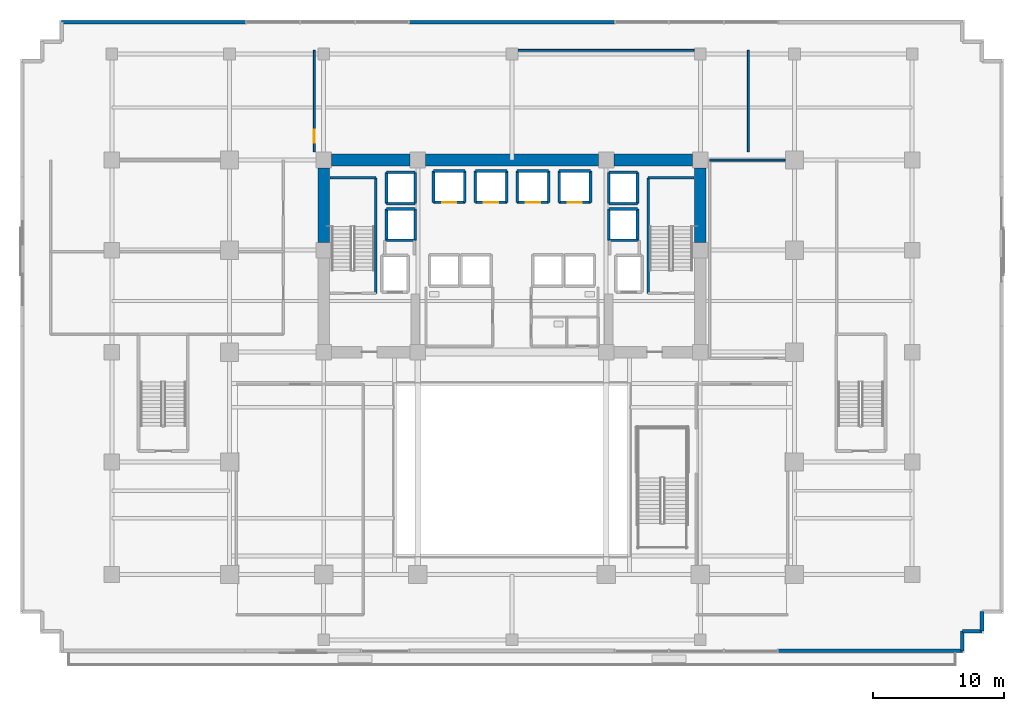
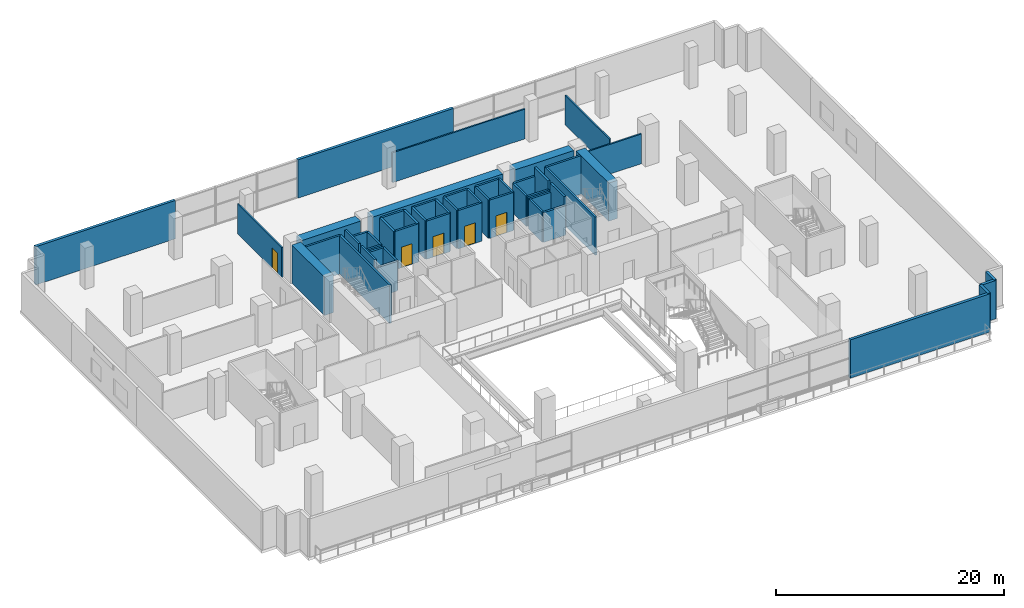
# One storey, part 14 of 22: 51 walls, 5 doors, 5 openings.
"""IFC4 building model written with IfcOpenShell, lengths in metres."""

from ifc_helpers import new_model, si_unit, direction, frame, frame_2d, origin, place, context, subcontext, project, spatial, rectangle, extrude, source, transform, mapped, material, layer, layer_set, type_object, element, fill, save


model = new_model("IFC4")

# Units and contexts
model_context = context("Model", 3, precision=1e-05, world=origin(), true_north=direction((0.0, 1.0)))
body_context = subcontext(model_context, "Body", "Model", "MODEL_VIEW")
ifc_project = project(units=[si_unit("LENGTHUNIT", "METRE"), si_unit("AREAUNIT", "SQUARE_METRE"), si_unit("VOLUMEUNIT", "CUBIC_METRE"), si_unit("PLANEANGLEUNIT", "RADIAN"), si_unit("MASSUNIT", "GRAM", prefix="KILO")], contexts=[model_context])

# Site, building, storey
site_placement = place(None, origin())
site = spatial("IfcSite", under=ifc_project, at=site_placement, CompositionType="ELEMENT")
building_placement = place(site_placement, origin())
building = spatial("IfcBuilding", under=site, at=building_placement, Name="Zarnakvel Exchange Tower", CompositionType="ELEMENT")
storey_placement = place(building_placement, frame((0.0, 0.0, 9.39990234375)))
storey = spatial("IfcBuildingStorey", under=building, at=storey_placement, Name="L02", CompositionType="ELEMENT", Elevation=9.39990234375)

# Walls
ifc_material_1 = material(Name="Concrete C80/95", Category="concrete")
ifc_layer_1 = layer(ifc_material_1, 0.89990234375)
ifc_layer_set_1 = layer_set([ifc_layer_1], Name="Concrete C80/95")
wall_type_1 = type_object("IfcWallType", Name="CW-C1", PredefinedType="SHEAR", material=ifc_layer_set_1)
wall_1_placement = place(storey_placement, frame((-13.800048828125, 13.5, 0.0), z_axis=(0.0, 0.0, 1.0), x_axis=(1.0, 0.0, 0.0)))
element("IfcWall", 1, at=wall_1_placement, inside=storey, type_object=wall_type_1, Name="L02 Rear Core Shear Wall N1 (CW-C1)", PredefinedType="SHEAR", context=body_context, shape_type="SweptSolid", body=[
    extrude(rectangle(XDim=6.0, YDim=0.89990234375, at=frame_2d((3.0, 0.0))), origin(), (0.0, 0.0, 1.0), 4.10009765625),
])
wall_2_placement = place(storey_placement, frame((-6.60009765625, 13.5, 0.0), z_axis=(0.0, 0.0, 1.0), x_axis=(1.0, 0.0, 0.0)))
element("IfcWall", 2, at=wall_2_placement, inside=storey, type_object=wall_type_1, Name="L02 Rear Core Shear Wall N2 (CW-C1)", PredefinedType="SHEAR", context=body_context, shape_type="SweptSolid", body=[
    extrude(rectangle(XDim=13.2001953125, YDim=0.89990234375, at=frame_2d((6.60009765625, 0.0))), origin(), (0.0, 0.0, 1.0), 4.10009765625),
])
wall_3_placement = place(storey_placement, frame((7.800048828125, 13.5, 0.0), z_axis=(0.0, 0.0, 1.0), x_axis=(1.0, 0.0, 0.0)))
element("IfcWall", 3, at=wall_3_placement, inside=storey, type_object=wall_type_1, Name="L02 Rear Core Shear Wall N3 (CW-C1)", PredefinedType="SHEAR", context=body_context, shape_type="SweptSolid", body=[
    extrude(rectangle(XDim=6.0, YDim=0.89990234375, at=frame_2d((3.0, 0.0))), origin(), (0.0, 0.0, 1.0), 4.10009765625),
])
for number, where, z_axis, x_axis, name in (
    (4, (-14.39990234375, 7.199951171875, 0.0), (0.0, 0.0, 1.0), (0.0, 1.0, 0.0), "L02 Rear Core Shear Wall W2 (CW-C1)"),
    (5, (14.39990234375, 7.199951171875, 0.0), (0.0, 0.0, 1.0), (0.0, 1.0, 0.0), "L02 Rear Core Shear Wall E2 (CW-C1)"),
):
    element("IfcWall", number, at=place(storey_placement, frame(where, z_axis=z_axis, x_axis=x_axis)), inside=storey, type_object=wall_type_1, Name=name, PredefinedType="SHEAR", context=body_context, shape_type="SweptSolid", body=[
        extrude(rectangle(XDim=5.699951171875, YDim=0.89990234375, at=frame_2d((2.85009765625, 0.0))), origin(), (0.0, 0.0, 1.0), 4.10009765625),
    ])
ifc_material_2 = material(Name="Precast concrete C40/50", Category="concrete")
ifc_layer_2 = layer(ifc_material_2, 0.280029296875)
ifc_layer_set_2 = layer_set([ifc_layer_2], Name="Precast concrete C40/50")
wall_type_2 = type_object("IfcWallType", Name="EW-01", PredefinedType="SOLIDWALL", material=ifc_layer_set_2)
wall_4_placement = place(storey_placement, frame((-20.304931640625, 24.0400390625, 0.0), z_axis=(0.0, 0.0, 1.0), x_axis=(-1.0, 0.0, 0.0)))
element("IfcWall", 6, at=wall_4_placement, inside=storey, type_object=wall_type_2, Name="L02 Exterior Precast Spandrel Wall EWC-L02-07 (EW-01)", PredefinedType="SOLIDWALL", context=body_context, shape_type="SweptSolid", body=[
    extrude(rectangle(XDim=14.135009765625, YDim=0.280029296875, at=frame_2d((7.0673828125, 0.0))), origin(), (0.0, 0.0, 1.0), 4.10009765625),
])
wall_5_placement = place(storey_placement, frame((7.89501953125, 24.0400390625, 0.0), z_axis=(0.0, 0.0, 1.0), x_axis=(-1.0, 0.0, 0.0)))
element("IfcWall", 7, at=wall_5_placement, inside=storey, type_object=wall_type_2, Name="L02 Exterior Precast Spandrel Wall EWC-L02-08 (EW-01)", PredefinedType="SOLIDWALL", context=body_context, shape_type="SweptSolid", body=[
    extrude(rectangle(XDim=15.7900390625, YDim=0.280029296875, at=frame_2d((7.89501953125, 0.0))), origin(), (0.0, 0.0, 1.0), 4.10009765625),
])
for number, where, z_axis, x_axis, name in (
    (8, (35.93994140625, -22.5400390625, 0.0), (0.0, 0.0, 1.0), (0.0, 1.0, 0.0), "L02 Exterior Precast Spandrel Wall EWC-L02-17 (EW-01)"),
    (9, (34.43994140625, -22.5400390625, 0.0), (0.0, 0.0, 1.0), (1.0, 0.0, 0.0), "L02 Exterior Precast Spandrel Wall EWC-L02-18 (EW-01)"),
    (10, (34.43994140625, -24.0400390625, 0.0), (0.0, 0.0, 1.0), (0.0, 1.0, 0.0), "L02 Exterior Precast Spandrel Wall EWC-L02-19 (EW-01)"),
):
    element("IfcWall", number, at=place(storey_placement, frame(where, z_axis=z_axis, x_axis=x_axis)), inside=storey, type_object=wall_type_2, Name=name, PredefinedType="SOLIDWALL", context=body_context, shape_type="SweptSolid", body=[
        extrude(rectangle(XDim=1.5, YDim=0.280029296875, at=frame_2d((0.75, 0.0))), origin(), (0.0, 0.0, 1.0), 4.10009765625),
    ])
wall_6_placement = place(storey_placement, frame((20.304931640625, -24.0400390625, 0.0), z_axis=(0.0, 0.0, 1.0), x_axis=(1.0, 0.0, 0.0)))
element("IfcWall", 11, at=wall_6_placement, inside=storey, type_object=wall_type_2, Name="L02 Exterior Precast Spandrel Wall EWC-L02-20 (EW-01)", PredefinedType="SOLIDWALL", context=body_context, shape_type="SweptSolid", body=[
    extrude(rectangle(XDim=14.135009765625, YDim=0.280029296875, at=frame_2d((7.0673828125, 0.0))), origin(), (0.0, 0.0, 1.0), 4.10009765625),
])
ifc_material_3 = material(Name="Fire-Rated Gypsum Stud Partition", Category="gypsum")
ifc_layer_3 = layer(ifc_material_3, 0.14990234375)
ifc_layer_set_3 = layer_set([ifc_layer_3], Name="Fire-Rated Gypsum Stud Partition")
wall_type_3 = type_object("IfcWallType", Name="PT-01", PredefinedType="PARTITIONING", material=ifc_layer_set_3)
wall_7_placement = place(storey_placement, frame((15.1201171875, 13.47998046875, 0.0), z_axis=(0.0, 0.0, 1.0), x_axis=(1.0, 0.0, 0.0)))
element("IfcWall", 12, at=wall_7_placement, inside=storey, type_object=wall_type_3, Name="L02 Partition Wall PWALL-L02-050 (PT-01)", PredefinedType="PARTITIONING", context=body_context, shape_type="SweptSolid", body=[
    extrude(rectangle(XDim=5.759765625, YDim=0.14990234375, at=frame_2d((2.8798828125, 0.0))), origin(), (0.0, 0.0, 1.0), 3.190185546875),
])
wall_8_placement = place(storey_placement, frame((0.469970703125, 21.8798828125, 0.0), z_axis=(0.0, 0.0, 1.0), x_axis=(1.0, 0.0, 0.0)))
element("IfcWall", 13, at=wall_8_placement, inside=storey, type_object=wall_type_3, Name="L02 Partition Wall PWALL-L02-053 (PT-01)", PredefinedType="PARTITIONING", context=body_context, shape_type="SweptSolid", body=[
    extrude(rectangle(XDim=13.4599609375, YDim=0.14990234375, at=frame_2d((6.72998046875, 0.0))), origin(), (0.0, 0.0, 1.0), 3.190185546875),
])

# Wall, opening, door
wall_9_placement = place(storey_placement, frame((-15.1201171875, 14.1201171875, 0.0), z_axis=(0.0, 0.0, 1.0), x_axis=(0.0, 1.0, 0.0)))
wall_9 = element("IfcWall", 14, at=wall_9_placement, inside=storey, type_object=wall_type_3, Name="L02 Partition Wall PWALL-L02-054 (PT-01)", PredefinedType="PARTITIONING", context=body_context, shape_type="SweptSolid", body=[
    extrude(rectangle(XDim=7.759765625, YDim=0.14990234375, at=frame_2d((3.8798828125, 0.0))), origin(), (0.0, 0.0, 1.0), 3.190185546875),
])
opening_1_placement = place(wall_9_placement, frame((0.68994140625, 0.0, 0.0)))
opening_1 = element("IfcOpeningElement", 15, at=opening_1_placement, cuts=wall_9, Name="Opening D-L02-16", PredefinedType="OPENING", context=body_context, shape_type="SweptSolid", body=[
    extrude(rectangle(XDim=0.97998046875, YDim=2.14990234375, at=frame_2d((0.489990234375, 1.074951171875))), frame((0.0, 0.0849609375, 0.0), z_axis=(0.0, -1.0, 0.0), x_axis=(1.0, 0.0, 0.0)), (0.0, 0.0, 1.0), 0.169921875),
])
ifc_material_4 = material(Name="Timber Acoustic Veneer", Category="wood")
door_type_1 = type_object("IfcDoorType", Name="DT-05", OperationType="NOTDEFINED", PredefinedType="DOOR", material=ifc_material_4)
shared_shape_1 = source(origin(), body_context, "Body", "SweptSolid", [
    extrude(rectangle(XDim=0.97998046875, YDim=2.14990234375, at=frame_2d((0.489990234375, 1.074951171875))), frame((0.0, 0.02490234375, 0.0), z_axis=(0.0, -1.0, 0.0), x_axis=(1.0, 0.0, 0.0)), (0.0, 0.0, 1.0), 0.050048828125),
])
door_1_placement = place(opening_1_placement, origin())
door_1 = element("IfcDoor", 16, at=door_1_placement, inside=storey, type_object=door_type_1, Name="L02 Members Club Lounge Door D-L02-16", OperationType="SINGLE_SWING_RIGHT", OverallHeight=2.14990234375, OverallWidth=0.97998046875, PredefinedType="DOOR", context=body_context, shape_type="MappedRepresentation", body=[
    mapped(shared_shape_1, transform((0.0, 0.0, 0.0), x_axis=(1.0, 0.0, 0.0), y_axis=(0.0, 1.0, 0.0), z_axis=(0.0, 0.0, 1.0), scale=1.0)),
])
fill(opening_1, door_1)

# Wall
wall_10_placement = place(storey_placement, frame((18.080078125, 21.8798828125, 0.0), z_axis=(0.0, 0.0, 1.0), x_axis=(0.0, -1.0, 0.0)))
element("IfcWall", 17, at=wall_10_placement, inside=storey, type_object=wall_type_3, Name="L02 Partition Wall PWALL-L02-055 (PT-01)", PredefinedType="PARTITIONING", context=body_context, shape_type="SweptSolid", body=[
    extrude(rectangle(XDim=7.759765625, YDim=0.14990234375, at=frame_2d((3.8798828125, 0.0))), origin(), (0.0, 0.0, 1.0), 3.190185546875),
])

# Wall, opening, door
ifc_material_5 = material(Name="Concrete C40/50", Category="concrete")
ifc_layer_4 = layer(ifc_material_5, 0.199951171875)
ifc_layer_set_4 = layer_set([ifc_layer_4], Name="Concrete C40/50")
wall_type_4 = type_object("IfcWallType", Name="SW-01", PredefinedType="SOLIDWALL", material=ifc_layer_set_4)
wall_11_placement = place(storey_placement, frame((-3.60009765625, 10.25, 0.0), z_axis=(0.0, 0.0, 1.0), x_axis=(-1.0, 0.0, 0.0)))
wall_11 = element("IfcWall", 18, at=wall_11_placement, inside=storey, type_object=wall_type_4, Name="L02 PL-01 Hoistway Wall South", PredefinedType="SOLIDWALL", context=body_context, shape_type="SweptSolid", body=[
    extrude(rectangle(XDim=2.39990234375, YDim=0.199951171875, at=frame_2d((1.199951171875, 0.0))), origin(), (0.0, 0.0, 1.0), 4.10009765625),
])
opening_2_placement = place(wall_11_placement, frame((0.64990234375, 0.0, 0.0)))
opening_2 = element("IfcOpeningElement", 19, at=opening_2_placement, cuts=wall_11, Name="Opening LD-PL-01-L02", PredefinedType="OPENING", context=body_context, shape_type="SweptSolid", body=[
    extrude(rectangle(XDim=1.10009765625, YDim=2.199951171875, at=frame_2d((0.550048828125, 1.10009765625))), frame((0.0, 0.10986328125, 0.0), z_axis=(0.0, -1.0, 0.0), x_axis=(1.0, 0.0, 0.0)), (0.0, 0.0, 1.0), 0.219970703125),
])
ifc_material_6 = material(Name="Architectural Bronze Anodised Aluminium", Category="aluminium")
door_type_2 = type_object("IfcDoorType", Name="LDT-02", OperationType="NOTDEFINED", PredefinedType="DOOR", material=ifc_material_6)
shared_shape_2 = source(origin(), body_context, "Body", "SweptSolid", [
    extrude(rectangle(XDim=1.10009765625, YDim=2.199951171875, at=frame_2d((0.550048828125, 1.10009765625))), frame((0.0, 0.02490234375, 0.0), z_axis=(0.0, -1.0, 0.0), x_axis=(1.0, 0.0, 0.0)), (0.0, 0.0, 1.0), 0.050048828125),
])
door_2_placement = place(opening_2_placement, origin())
door_2 = element("IfcDoor", 20, at=door_2_placement, inside=storey, type_object=door_type_2, Name="L02 PL-01 Lift Landing Door LD-PL-01-L02", OperationType="DOUBLE_DOOR_SLIDING", OverallHeight=2.199951171875, OverallWidth=1.10009765625, PredefinedType="DOOR", context=body_context, shape_type="MappedRepresentation", body=[
    mapped(shared_shape_2, transform((0.0, 0.0, 0.0), x_axis=(1.0, 0.0, 0.0), y_axis=(0.0, 1.0, 0.0), z_axis=(0.0, 0.0, 1.0), scale=1.0)),
])
fill(opening_2, door_2)

# Walls
for number, where, z_axis, x_axis, name in (
    (21, (-6.0, 12.64990234375, 0.0), (0.0, 0.0, 1.0), (1.0, 0.0, 0.0), "L02 PL-01 Hoistway Wall North"),
    (22, (-6.0, 10.25, 0.0), (0.0, 0.0, 1.0), (0.0, 1.0, 0.0), "L02 PL-01 Hoistway Wall West"),
    (23, (-3.60009765625, 12.64990234375, 0.0), (0.0, 0.0, 1.0), (0.0, -1.0, 0.0), "L02 PL-01 Hoistway Wall East"),
):
    element("IfcWall", number, at=place(storey_placement, frame(where, z_axis=z_axis, x_axis=x_axis)), inside=storey, type_object=wall_type_4, Name=name, PredefinedType="SOLIDWALL", context=body_context, shape_type="SweptSolid", body=[
        extrude(rectangle(XDim=2.39990234375, YDim=0.199951171875, at=frame_2d((1.199951171875, 0.0))), origin(), (0.0, 0.0, 1.0), 4.10009765625),
    ])

# Wall, opening, door
wall_12_placement = place(storey_placement, frame((-0.39990234375, 10.25, 0.0), z_axis=(0.0, 0.0, 1.0), x_axis=(-1.0, 0.0, 0.0)))
wall_12 = element("IfcWall", 24, at=wall_12_placement, inside=storey, type_object=wall_type_4, Name="L02 PL-02 Hoistway Wall South", PredefinedType="SOLIDWALL", context=body_context, shape_type="SweptSolid", body=[
    extrude(rectangle(XDim=2.400146484375, YDim=0.199951171875, at=frame_2d((1.2001953125, 0.0))), origin(), (0.0, 0.0, 1.0), 4.10009765625),
])
opening_3_placement = place(wall_12_placement, frame((0.64990234375, 0.0, 0.0)))
opening_3 = element("IfcOpeningElement", 25, at=opening_3_placement, cuts=wall_12, Name="Opening LD-PL-02-L02", PredefinedType="OPENING", context=body_context, shape_type="SweptSolid", body=[
    extrude(rectangle(XDim=1.10009765625, YDim=2.199951171875, at=frame_2d((0.550048828125, 1.10009765625))), frame((0.0, 0.10986328125, 0.0), z_axis=(0.0, -1.0, 0.0), x_axis=(1.0, 0.0, 0.0)), (0.0, 0.0, 1.0), 0.219970703125),
])
door_3_placement = place(opening_3_placement, origin())
door_3 = element("IfcDoor", 26, at=door_3_placement, inside=storey, type_object=door_type_2, Name="L02 PL-02 Lift Landing Door LD-PL-02-L02", OperationType="DOUBLE_DOOR_SLIDING", OverallHeight=2.199951171875, OverallWidth=1.10009765625, PredefinedType="DOOR", context=body_context, shape_type="MappedRepresentation", body=[
    mapped(shared_shape_2, transform((0.0, 0.0, 0.0), x_axis=(1.0, 0.0, 0.0), y_axis=(0.0, 1.0, 0.0), z_axis=(0.0, 0.0, 1.0), scale=1.0)),
])
fill(opening_3, door_3)

# Walls
wall_13_placement = place(storey_placement, frame((-2.800048828125, 12.64990234375, 0.0), z_axis=(0.0, 0.0, 1.0), x_axis=(1.0, 0.0, 0.0)))
element("IfcWall", 27, at=wall_13_placement, inside=storey, type_object=wall_type_4, Name="L02 PL-02 Hoistway Wall North", PredefinedType="SOLIDWALL", context=body_context, shape_type="SweptSolid", body=[
    extrude(rectangle(XDim=2.400146484375, YDim=0.199951171875, at=frame_2d((1.2001953125, 0.0))), origin(), (0.0, 0.0, 1.0), 4.10009765625),
])
for number, where, z_axis, x_axis, name in (
    (28, (-2.800048828125, 10.25, 0.0), (0.0, 0.0, 1.0), (0.0, 1.0, 0.0), "L02 PL-02 Hoistway Wall West"),
    (29, (-0.39990234375, 12.64990234375, 0.0), (0.0, 0.0, 1.0), (0.0, -1.0, 0.0), "L02 PL-02 Hoistway Wall East"),
):
    element("IfcWall", number, at=place(storey_placement, frame(where, z_axis=z_axis, x_axis=x_axis)), inside=storey, type_object=wall_type_4, Name=name, PredefinedType="SOLIDWALL", context=body_context, shape_type="SweptSolid", body=[
        extrude(rectangle(XDim=2.39990234375, YDim=0.199951171875, at=frame_2d((1.199951171875, 0.0))), origin(), (0.0, 0.0, 1.0), 4.10009765625),
    ])

# Wall, opening, door
wall_14_placement = place(storey_placement, frame((2.800048828125, 10.25, 0.0), z_axis=(0.0, 0.0, 1.0), x_axis=(-1.0, 0.0, 0.0)))
wall_14 = element("IfcWall", 30, at=wall_14_placement, inside=storey, type_object=wall_type_4, Name="L02 PL-03 Hoistway Wall South", PredefinedType="SOLIDWALL", context=body_context, shape_type="SweptSolid", body=[
    extrude(rectangle(XDim=2.400146484375, YDim=0.199951171875, at=frame_2d((1.2001953125, 0.0))), origin(), (0.0, 0.0, 1.0), 4.10009765625),
])
opening_4_placement = place(wall_14_placement, frame((0.64990234375, 0.0, 0.0)))
opening_4 = element("IfcOpeningElement", 31, at=opening_4_placement, cuts=wall_14, Name="Opening LD-PL-03-L02", PredefinedType="OPENING", context=body_context, shape_type="SweptSolid", body=[
    extrude(rectangle(XDim=1.10009765625, YDim=2.199951171875, at=frame_2d((0.550048828125, 1.10009765625))), frame((0.0, 0.10986328125, 0.0), z_axis=(0.0, -1.0, 0.0), x_axis=(1.0, 0.0, 0.0)), (0.0, 0.0, 1.0), 0.219970703125),
])
door_4_placement = place(opening_4_placement, origin())
door_4 = element("IfcDoor", 32, at=door_4_placement, inside=storey, type_object=door_type_2, Name="L02 PL-03 Lift Landing Door LD-PL-03-L02", OperationType="DOUBLE_DOOR_SLIDING", OverallHeight=2.199951171875, OverallWidth=1.10009765625, PredefinedType="DOOR", context=body_context, shape_type="MappedRepresentation", body=[
    mapped(shared_shape_2, transform((0.0, 0.0, 0.0), x_axis=(1.0, 0.0, 0.0), y_axis=(0.0, 1.0, 0.0), z_axis=(0.0, 0.0, 1.0), scale=1.0)),
])
fill(opening_4, door_4)

# Walls
wall_15_placement = place(storey_placement, frame((0.39990234375, 12.64990234375, 0.0), z_axis=(0.0, 0.0, 1.0), x_axis=(1.0, 0.0, 0.0)))
element("IfcWall", 33, at=wall_15_placement, inside=storey, type_object=wall_type_4, Name="L02 PL-03 Hoistway Wall North", PredefinedType="SOLIDWALL", context=body_context, shape_type="SweptSolid", body=[
    extrude(rectangle(XDim=2.400146484375, YDim=0.199951171875, at=frame_2d((1.2001953125, 0.0))), origin(), (0.0, 0.0, 1.0), 4.10009765625),
])
for number, where, z_axis, x_axis, name in (
    (34, (0.39990234375, 10.25, 0.0), (0.0, 0.0, 1.0), (0.0, 1.0, 0.0), "L02 PL-03 Hoistway Wall West"),
    (35, (2.800048828125, 12.64990234375, 0.0), (0.0, 0.0, 1.0), (0.0, -1.0, 0.0), "L02 PL-03 Hoistway Wall East"),
):
    element("IfcWall", number, at=place(storey_placement, frame(where, z_axis=z_axis, x_axis=x_axis)), inside=storey, type_object=wall_type_4, Name=name, PredefinedType="SOLIDWALL", context=body_context, shape_type="SweptSolid", body=[
        extrude(rectangle(XDim=2.39990234375, YDim=0.199951171875, at=frame_2d((1.199951171875, 0.0))), origin(), (0.0, 0.0, 1.0), 4.10009765625),
    ])

# Wall, opening, door
wall_16_placement = place(storey_placement, frame((6.0, 10.25, 0.0), z_axis=(0.0, 0.0, 1.0), x_axis=(-1.0, 0.0, 0.0)))
wall_16 = element("IfcWall", 36, at=wall_16_placement, inside=storey, type_object=wall_type_4, Name="L02 PL-04 Hoistway Wall South", PredefinedType="SOLIDWALL", context=body_context, shape_type="SweptSolid", body=[
    extrude(rectangle(XDim=2.39990234375, YDim=0.199951171875, at=frame_2d((1.199951171875, 0.0))), origin(), (0.0, 0.0, 1.0), 4.10009765625),
])
opening_5_placement = place(wall_16_placement, frame((0.64990234375, 0.0, 0.0)))
opening_5 = element("IfcOpeningElement", 37, at=opening_5_placement, cuts=wall_16, Name="Opening LD-PL-04-L02", PredefinedType="OPENING", context=body_context, shape_type="SweptSolid", body=[
    extrude(rectangle(XDim=1.10009765625, YDim=2.199951171875, at=frame_2d((0.550048828125, 1.10009765625))), frame((0.0, 0.10986328125, 0.0), z_axis=(0.0, -1.0, 0.0), x_axis=(1.0, 0.0, 0.0)), (0.0, 0.0, 1.0), 0.219970703125),
])
door_5_placement = place(opening_5_placement, origin())
door_5 = element("IfcDoor", 38, at=door_5_placement, inside=storey, type_object=door_type_2, Name="L02 PL-04 Lift Landing Door LD-PL-04-L02", OperationType="DOUBLE_DOOR_SLIDING", OverallHeight=2.199951171875, OverallWidth=1.10009765625, PredefinedType="DOOR", context=body_context, shape_type="MappedRepresentation", body=[
    mapped(shared_shape_2, transform((0.0, 0.0, 0.0), x_axis=(1.0, 0.0, 0.0), y_axis=(0.0, 1.0, 0.0), z_axis=(0.0, 0.0, 1.0), scale=1.0)),
])
fill(opening_5, door_5)

# Walls
for number, where, z_axis, x_axis, name in (
    (39, (3.60009765625, 12.64990234375, 0.0), (0.0, 0.0, 1.0), (1.0, 0.0, 0.0), "L02 PL-04 Hoistway Wall North"),
    (40, (3.60009765625, 10.25, 0.0), (0.0, 0.0, 1.0), (0.0, 1.0, 0.0), "L02 PL-04 Hoistway Wall West"),
    (41, (6.0, 12.64990234375, 0.0), (0.0, 0.0, 1.0), (0.0, -1.0, 0.0), "L02 PL-04 Hoistway Wall East"),
):
    element("IfcWall", number, at=place(storey_placement, frame(where, z_axis=z_axis, x_axis=x_axis)), inside=storey, type_object=wall_type_4, Name=name, PredefinedType="SOLIDWALL", context=body_context, shape_type="SweptSolid", body=[
        extrude(rectangle(XDim=2.39990234375, YDim=0.199951171875, at=frame_2d((1.199951171875, 0.0))), origin(), (0.0, 0.0, 1.0), 4.10009765625),
    ])
for number, where, z_axis, x_axis, name in (
    (42, (-7.39990234375, 7.35009765625, 0.0), (0.0, 0.0, 1.0), (-1.0, 0.0, 0.0), "L02 PL-09 Hoistway Wall South"),
    (43, (-9.60009765625, 9.75, 0.0), (0.0, 0.0, 1.0), (1.0, 0.0, 0.0), "L02 PL-09 Hoistway Wall North"),
):
    element("IfcWall", number, at=place(storey_placement, frame(where, z_axis=z_axis, x_axis=x_axis)), inside=storey, type_object=wall_type_4, Name=name, PredefinedType="SOLIDWALL", context=body_context, shape_type="SweptSolid", body=[
        extrude(rectangle(XDim=2.2001953125, YDim=0.199951171875, at=frame_2d((1.10009765625, 0.0))), origin(), (0.0, 0.0, 1.0), 3.190185546875),
    ])
wall_17_placement = place(storey_placement, frame((-9.60009765625, 7.35009765625, 0.0), z_axis=(0.0, 0.0, 1.0), x_axis=(0.0, 1.0, 0.0)))
element("IfcWall", 44, at=wall_17_placement, inside=storey, type_object=wall_type_4, Name="L02 PL-09 Hoistway Wall West", PredefinedType="SOLIDWALL", context=body_context, shape_type="SweptSolid", body=[
    extrude(rectangle(XDim=2.39990234375, YDim=0.199951171875, at=frame_2d((1.199951171875, 0.0))), origin(), (0.0, 0.0, 1.0), 4.10009765625),
])
wall_18_placement = place(storey_placement, frame((-7.39990234375, 9.75, 0.0), z_axis=(0.0, 0.0, 1.0), x_axis=(0.0, -1.0, 0.0)))
element("IfcWall", 45, at=wall_18_placement, inside=storey, type_object=wall_type_4, Name="L02 PL-09 Hoistway Wall East", PredefinedType="SOLIDWALL", context=body_context, shape_type="SweptSolid", body=[
    extrude(rectangle(XDim=2.39990234375, YDim=0.199951171875, at=frame_2d((1.199951171875, 0.0))), origin(), (0.0, 0.0, 1.0), 3.190185546875),
])
for number, where, z_axis, x_axis, name in (
    (46, (-7.39990234375, 10.14990234375, 0.0), (0.0, 0.0, 1.0), (-1.0, 0.0, 0.0), "L02 PL-10 Hoistway Wall South"),
    (47, (-9.60009765625, 12.550048828125, 0.0), (0.0, 0.0, 1.0), (1.0, 0.0, 0.0), "L02 PL-10 Hoistway Wall North"),
):
    element("IfcWall", number, at=place(storey_placement, frame(where, z_axis=z_axis, x_axis=x_axis)), inside=storey, type_object=wall_type_4, Name=name, PredefinedType="SOLIDWALL", context=body_context, shape_type="SweptSolid", body=[
        extrude(rectangle(XDim=2.2001953125, YDim=0.199951171875, at=frame_2d((1.10009765625, 0.0))), origin(), (0.0, 0.0, 1.0), 3.190185546875),
    ])
wall_19_placement = place(storey_placement, frame((-9.60009765625, 10.14990234375, 0.0), z_axis=(0.0, 0.0, 1.0), x_axis=(0.0, 1.0, 0.0)))
element("IfcWall", 48, at=wall_19_placement, inside=storey, type_object=wall_type_4, Name="L02 PL-10 Hoistway Wall West", PredefinedType="SOLIDWALL", context=body_context, shape_type="SweptSolid", body=[
    extrude(rectangle(XDim=2.400146484375, YDim=0.199951171875, at=frame_2d((1.2001953125, 0.0))), origin(), (0.0, 0.0, 1.0), 4.10009765625),
])
wall_20_placement = place(storey_placement, frame((-7.39990234375, 12.550048828125, 0.0), z_axis=(0.0, 0.0, 1.0), x_axis=(0.0, -1.0, 0.0)))
element("IfcWall", 49, at=wall_20_placement, inside=storey, type_object=wall_type_4, Name="L02 PL-10 Hoistway Wall East", PredefinedType="SOLIDWALL", context=body_context, shape_type="SweptSolid", body=[
    extrude(rectangle(XDim=2.400146484375, YDim=0.199951171875, at=frame_2d((1.2001953125, 0.0))), origin(), (0.0, 0.0, 1.0), 3.190185546875),
])
for number, where, z_axis, x_axis, name in (
    (50, (9.60009765625, 7.35009765625, 0.0), (0.0, 0.0, 1.0), (-1.0, 0.0, 0.0), "L02 PL-11 Hoistway Wall South"),
    (51, (7.39990234375, 9.75, 0.0), (0.0, 0.0, 1.0), (1.0, 0.0, 0.0), "L02 PL-11 Hoistway Wall North"),
):
    element("IfcWall", number, at=place(storey_placement, frame(where, z_axis=z_axis, x_axis=x_axis)), inside=storey, type_object=wall_type_4, Name=name, PredefinedType="SOLIDWALL", context=body_context, shape_type="SweptSolid", body=[
        extrude(rectangle(XDim=2.2001953125, YDim=0.199951171875, at=frame_2d((1.10009765625, 0.0))), origin(), (0.0, 0.0, 1.0), 3.190185546875),
    ])
wall_21_placement = place(storey_placement, frame((7.39990234375, 7.35009765625, 0.0), z_axis=(0.0, 0.0, 1.0), x_axis=(0.0, 1.0, 0.0)))
element("IfcWall", 52, at=wall_21_placement, inside=storey, type_object=wall_type_4, Name="L02 PL-11 Hoistway Wall West", PredefinedType="SOLIDWALL", context=body_context, shape_type="SweptSolid", body=[
    extrude(rectangle(XDim=2.39990234375, YDim=0.199951171875, at=frame_2d((1.199951171875, 0.0))), origin(), (0.0, 0.0, 1.0), 3.190185546875),
])
wall_22_placement = place(storey_placement, frame((9.60009765625, 9.75, 0.0), z_axis=(0.0, 0.0, 1.0), x_axis=(0.0, -1.0, 0.0)))
element("IfcWall", 53, at=wall_22_placement, inside=storey, type_object=wall_type_4, Name="L02 PL-11 Hoistway Wall East", PredefinedType="SOLIDWALL", context=body_context, shape_type="SweptSolid", body=[
    extrude(rectangle(XDim=2.39990234375, YDim=0.199951171875, at=frame_2d((1.199951171875, 0.0))), origin(), (0.0, 0.0, 1.0), 4.10009765625),
])
for number, where, z_axis, x_axis, name in (
    (54, (9.60009765625, 10.14990234375, 0.0), (0.0, 0.0, 1.0), (-1.0, 0.0, 0.0), "L02 PL-12 Hoistway Wall South"),
    (55, (7.39990234375, 12.550048828125, 0.0), (0.0, 0.0, 1.0), (1.0, 0.0, 0.0), "L02 PL-12 Hoistway Wall North"),
):
    element("IfcWall", number, at=place(storey_placement, frame(where, z_axis=z_axis, x_axis=x_axis)), inside=storey, type_object=wall_type_4, Name=name, PredefinedType="SOLIDWALL", context=body_context, shape_type="SweptSolid", body=[
        extrude(rectangle(XDim=2.2001953125, YDim=0.199951171875, at=frame_2d((1.10009765625, 0.0))), origin(), (0.0, 0.0, 1.0), 3.190185546875),
    ])
wall_23_placement = place(storey_placement, frame((7.39990234375, 10.14990234375, 0.0), z_axis=(0.0, 0.0, 1.0), x_axis=(0.0, 1.0, 0.0)))
element("IfcWall", 56, at=wall_23_placement, inside=storey, type_object=wall_type_4, Name="L02 PL-12 Hoistway Wall West", PredefinedType="SOLIDWALL", context=body_context, shape_type="SweptSolid", body=[
    extrude(rectangle(XDim=2.400146484375, YDim=0.199951171875, at=frame_2d((1.2001953125, 0.0))), origin(), (0.0, 0.0, 1.0), 3.190185546875),
])
wall_24_placement = place(storey_placement, frame((9.60009765625, 12.550048828125, 0.0), z_axis=(0.0, 0.0, 1.0), x_axis=(0.0, -1.0, 0.0)))
element("IfcWall", 57, at=wall_24_placement, inside=storey, type_object=wall_type_4, Name="L02 PL-12 Hoistway Wall East", PredefinedType="SOLIDWALL", context=body_context, shape_type="SweptSolid", body=[
    extrude(rectangle(XDim=2.400146484375, YDim=0.199951171875, at=frame_2d((1.2001953125, 0.0))), origin(), (0.0, 0.0, 1.0), 4.10009765625),
])
ifc_layer_5 = layer(ifc_material_5, 0.199951171875)
ifc_layer_set_5 = layer_set([ifc_layer_5], Name="Concrete C40/50")
wall_type_5 = type_object("IfcWallType", Name="SW-02", PredefinedType="SOLIDWALL", material=ifc_layer_set_5)
wall_25_placement = place(storey_placement, frame((-13.929931640625, 12.1298828125, 0.0), z_axis=(0.0, 0.0, 1.0), x_axis=(1.0, 0.0, 0.0)))
element("IfcWall", 58, at=wall_25_placement, inside=storey, type_object=wall_type_5, Name="L02 Stairwell Core Wall PWALL-L02-002 (SW-02)", PredefinedType="SOLIDWALL", context=body_context, shape_type="SweptSolid", body=[
    extrude(rectangle(XDim=3.52001953125, YDim=0.199951171875, at=frame_2d((1.760009765625, 0.0))), origin(), (0.0, 0.0, 1.0), 4.10009765625),
])
wall_26_placement = place(storey_placement, frame((-10.409912109375, 12.1298828125, 0.0), z_axis=(0.0, 0.0, 1.0), x_axis=(0.0, -1.0, 0.0)))
element("IfcWall", 59, at=wall_26_placement, inside=storey, type_object=wall_type_5, Name="L02 Stairwell Core Wall PWALL-L02-003 (SW-02)", PredefinedType="SOLIDWALL", context=body_context, shape_type="SweptSolid", body=[
    extrude(rectangle(XDim=8.83984375, YDim=0.199951171875, at=frame_2d((4.419921875, 0.0))), origin(), (0.0, 0.0, 1.0), 4.10009765625),
])
wall_27_placement = place(storey_placement, frame((10.409912109375, 12.1298828125, 0.0), z_axis=(0.0, 0.0, 1.0), x_axis=(1.0, 0.0, 0.0)))
element("IfcWall", 60, at=wall_27_placement, inside=storey, type_object=wall_type_5, Name="L02 Stairwell Core Wall PWALL-L02-005 (SW-02)", PredefinedType="SOLIDWALL", context=body_context, shape_type="SweptSolid", body=[
    extrude(rectangle(XDim=3.52001953125, YDim=0.199951171875, at=frame_2d((1.760009765625, 0.0))), origin(), (0.0, 0.0, 1.0), 4.10009765625),
])
wall_28_placement = place(storey_placement, frame((10.409912109375, 3.2900390625, 0.0), z_axis=(0.0, 0.0, 1.0), x_axis=(0.0, 1.0, 0.0)))
element("IfcWall", 61, at=wall_28_placement, inside=storey, type_object=wall_type_5, Name="L02 Stairwell Core Wall PWALL-L02-006 (SW-02)", PredefinedType="SOLIDWALL", context=body_context, shape_type="SweptSolid", body=[
    extrude(rectangle(XDim=8.83984375, YDim=0.199951171875, at=frame_2d((4.419921875, 0.0))), origin(), (0.0, 0.0, 1.0), 4.10009765625),
])

save(model, "model.ifc")
